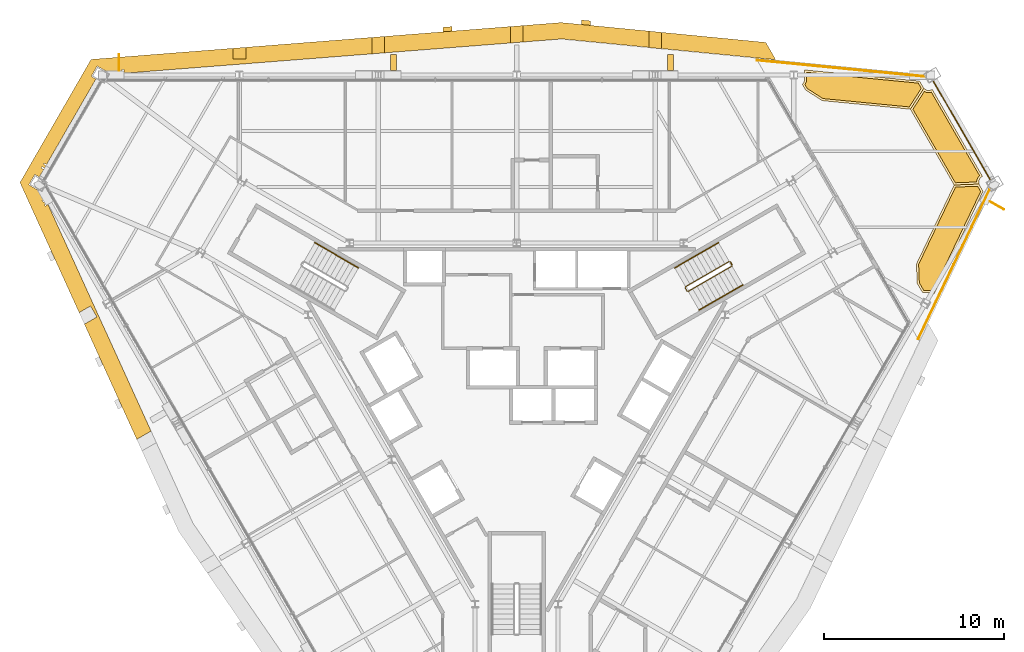
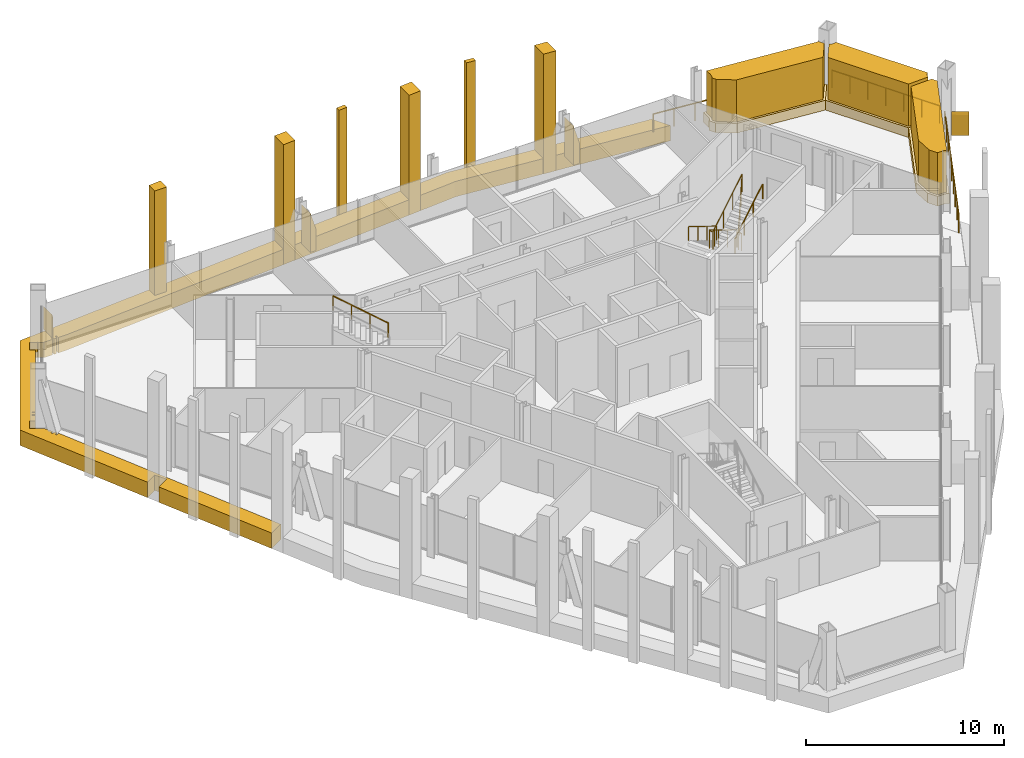
# One storey, part 13 of 13: 20 coverings, 7 railings.
"""IFC4 building model written with IfcOpenShell, lengths in metres."""

from ifc_helpers import new_model, si_unit, direction, frame, origin, origin_2d, place, context, subcontext, project, spatial, polyline, circle, outline, extrude, material, layer, layer_set, type_object, element, save


model = new_model("IFC4")

# Units and contexts
model_context = context("Model", 3, precision=1e-05, world=origin(), true_north=direction((0.0, 1.0)))
body_context = subcontext(model_context, "Body", "Model", "MODEL_VIEW")
ifc_project = project(units=[si_unit("LENGTHUNIT", "METRE"), si_unit("AREAUNIT", "SQUARE_METRE"), si_unit("VOLUMEUNIT", "CUBIC_METRE"), si_unit("PLANEANGLEUNIT", "RADIAN"), si_unit("MASSUNIT", "GRAM", prefix="KILO")], contexts=[model_context])

# Site, building, storey
site_placement = place(None, origin())
site = spatial("IfcSite", under=ifc_project, at=site_placement, CompositionType="ELEMENT")
building_placement = place(site_placement, origin())
building = spatial("IfcBuilding", under=site, at=building_placement, Name="Verrane Prism Tower", CompositionType="ELEMENT")
storey_placement = place(building_placement, frame((0.0, 0.0, 171.0)))
storey = spatial("IfcBuildingStorey", under=building, at=storey_placement, Name="L42", CompositionType="ELEMENT", Elevation=171.0)

# Railings
ifc_material_1 = material(Name="Stainless steel and laminated glass", Category="steel")
railing_type_1 = type_object("IfcRailingType", Name="Garden guard 1100", PredefinedType="GUARDRAIL", material=ifc_material_1)
railing_1_placement = place(storey_placement, frame((22.26123046875, 2.67236328125, 0.0)))
element("IfcRailing", 1, at=railing_1_placement, inside=storey, type_object=railing_type_1, Name="Garden guard L42 1", PredefinedType="GUARDRAIL", context=body_context, shape_type="SweptSolid", body=[
    extrude(circle(Radius=0.02392578125, at=origin_2d()), frame((0.0, 0.0, 1.076171875), z_axis=(0.430780316102, 0.902456824041, 0.0), x_axis=(-0.902456824041, 0.430780316102, 0.0)), (0.0, 0.0, 1.0), 9.175537109375),
    extrude(circle(Radius=0.02099609375, at=origin_2d()), origin(), (0.0, 0.0, 1.0), 1.052001953125),
    extrude(circle(Radius=0.02099609375, at=origin_2d()), frame((0.494140625, 1.03515625, 0.0)), (0.0, 0.0, 1.0), 1.052001953125),
    extrude(circle(Radius=0.02099609375, at=origin_2d()), frame((0.98828125, 2.070068359375, 0.0)), (0.0, 0.0, 1.0), 1.052001953125),
    extrude(circle(Radius=0.02099609375, at=origin_2d()), frame((1.482177734375, 3.105224609375, 0.0)), (0.0, 0.0, 1.0), 1.052001953125),
    extrude(circle(Radius=0.02099609375, at=origin_2d()), frame((1.976318359375, 4.14013671875, 0.0)), (0.0, 0.0, 1.0), 1.052001953125),
    extrude(circle(Radius=0.02099609375, at=origin_2d()), frame((2.470458984375, 5.17529296875, 0.0)), (0.0, 0.0, 1.0), 1.052001953125),
    extrude(circle(Radius=0.02099609375, at=origin_2d()), frame((2.96435546875, 6.21044921875, 0.0)), (0.0, 0.0, 1.0), 1.052001953125),
    extrude(circle(Radius=0.02099609375, at=origin_2d()), frame((3.45849609375, 7.245361328125, 0.0)), (0.0, 0.0, 1.0), 1.052001953125),
    extrude(circle(Radius=0.02099609375, at=origin_2d()), frame((3.95263671875, 8.280517578125, 0.0)), (0.0, 0.0, 1.0), 1.052001953125),
])
railing_2_placement = place(storey_placement, frame((26.246826171875, 11.529052734375, 0.0)))
element("IfcRailing", 2, at=railing_2_placement, inside=storey, type_object=railing_type_1, Name="Garden guard L42 2", PredefinedType="GUARDRAIL", context=body_context, shape_type="SweptSolid", body=[
    extrude(circle(Radius=0.02392578125, at=origin_2d()), frame((0.0, 0.0, 1.076171875), z_axis=(-0.499993007185, 0.86602944105, 0.0), x_axis=(-0.86602944105, -0.499993007185, 0.0)), (0.0, 0.0, 1.0), 6.27490234375),
    extrude(circle(Radius=0.02099609375, at=origin_2d()), origin(), (0.0, 0.0, 1.0), 1.052001953125),
    extrude(circle(Radius=0.02099609375, at=origin_2d()), frame((-0.52294921875, 0.90576171875, 0.0)), (0.0, 0.0, 1.0), 1.052001953125),
    extrude(circle(Radius=0.02099609375, at=origin_2d()), frame((-1.0458984375, 1.8115234375, 0.0)), (0.0, 0.0, 1.0), 1.052001953125),
    extrude(circle(Radius=0.02099609375, at=origin_2d()), frame((-1.56884765625, 2.71728515625, 0.0)), (0.0, 0.0, 1.0), 1.052001953125),
    extrude(circle(Radius=0.02099609375, at=origin_2d()), frame((-2.091552734375, 3.622802734375, 0.0)), (0.0, 0.0, 1.0), 1.052001953125),
    extrude(circle(Radius=0.02099609375, at=origin_2d()), frame((-2.614501953125, 4.528564453125, 0.0)), (0.0, 0.0, 1.0), 1.052001953125),
    extrude(circle(Radius=0.02099609375, at=origin_2d()), frame((-3.137451171875, 5.434326171875, 0.0)), (0.0, 0.0, 1.0), 1.052001953125),
])
railing_3_placement = place(storey_placement, frame((22.597900390625, 17.233154296875, 0.0)))
element("IfcRailing", 3, at=railing_3_placement, inside=storey, type_object=railing_type_1, Name="Garden guard L42 3", PredefinedType="GUARDRAIL", context=body_context, shape_type="SweptSolid", body=[
    extrude(circle(Radius=0.02392578125, at=origin_2d()), frame((0.0, 0.0, 1.076171875), z_axis=(-0.995316281325, 0.096672126955, 0.0), x_axis=(-0.096672126955, -0.995316281325, 0.0)), (0.0, 0.0, 1.0), 9.306396484375),
    extrude(circle(Radius=0.02099609375, at=origin_2d()), origin(), (0.0, 0.0, 1.0), 1.052001953125),
    extrude(circle(Radius=0.02099609375, at=origin_2d()), frame((-1.15771484375, 0.112548828125, 0.0)), (0.0, 0.0, 1.0), 1.052001953125),
    extrude(circle(Radius=0.02099609375, at=origin_2d()), frame((-2.315673828125, 0.224853515625, 0.0)), (0.0, 0.0, 1.0), 1.052001953125),
    extrude(circle(Radius=0.02099609375, at=origin_2d()), frame((-3.4736328125, 0.33740234375, 0.0)), (0.0, 0.0, 1.0), 1.052001953125),
    extrude(circle(Radius=0.02099609375, at=origin_2d()), frame((-4.63134765625, 0.44970703125, 0.0)), (0.0, 0.0, 1.0), 1.052001953125),
    extrude(circle(Radius=0.02099609375, at=origin_2d()), frame((-5.7890625, 0.562255859375, 0.0)), (0.0, 0.0, 1.0), 1.052001953125),
    extrude(circle(Radius=0.02099609375, at=origin_2d()), frame((-6.947021484375, 0.6748046875, 0.0)), (0.0, 0.0, 1.0), 1.052001953125),
    extrude(circle(Radius=0.02099609375, at=origin_2d()), frame((-8.10498046875, 0.787109375, 0.0)), (0.0, 0.0, 1.0), 1.052001953125),
    extrude(circle(Radius=0.02099609375, at=origin_2d()), frame((-9.2626953125, 0.899658203125, 0.0)), (0.0, 0.0, 1.0), 1.052001953125),
])

# Coverings
ifc_material_2 = material(Name="Planting medium in stone kerb", Category="masonry")
covering_type_1 = type_object("IfcCoveringType", Name="Planter bed 600", PredefinedType="USERDEFINED", material=ifc_material_2)
covering_1_placement = place(storey_placement, origin())
element("IfcCovering", 4, at=covering_1_placement, inside=storey, type_object=covering_type_1, Name="Planter bed L42 1", ObjectType="PLANTER", PredefinedType="USERDEFINED", context=body_context, shape_type="SweptSolid", body=[
    extrude(outline(polyline([(25.861083984375, 10.864013671875), (25.66943359375, 11.19580078125), (25.65380859375, 11.226318359375), (25.64111328125, 11.25830078125), (25.6376953125, 11.270751953125), (24.25634765625, 11.216552734375), (22.166015625, 6.837158203125), (22.2080078125, 5.7646484375), (22.506591796875, 5.247314453125), (22.90576171875, 5.247314453125), (22.93994140625, 5.24560546875), (22.97412109375, 5.240478515625), (22.97412109375, 5.240478515625), (22.98193359375, 5.2392578125), (23.015380859375, 5.23095703125), (23.047607421875, 5.21923828125), (23.07861328125, 5.20458984375), (23.108154296875, 5.18701171875), (23.1357421875, 5.16650390625), (23.139892578125, 5.162841796875), (25.861083984375, 10.864013671875)])), origin(), (0.0, 0.0, 1.0), 0.60009765625),
])
covering_2_placement = place(storey_placement, origin())
element("IfcCovering", 5, at=covering_2_placement, inside=storey, type_object=covering_type_1, Name="Planter bed L42 2", ObjectType="PLANTER", PredefinedType="USERDEFINED", context=body_context, shape_type="SweptSolid", body=[
    extrude(outline(polyline([(22.65771484375, 16.511962890625), (22.62939453125, 16.531494140625), (22.603515625, 16.5537109375), (22.57958984375, 16.578369140625), (22.577880859375, 16.580322265625), (21.830322265625, 15.4189453125), (24.25634765625, 11.216552734375), (25.6376953125, 11.270751953125), (25.6318359375, 11.291259765625), (25.62548828125, 11.3251953125), (25.622802734375, 11.359375), (25.623291015625, 11.393798828125), (25.627197265625, 11.427734375), (25.634521484375, 11.46142578125), (25.64501953125, 11.494140625), (25.65869140625, 11.525634765625), (25.67529296875, 11.5556640625), (25.69482421875, 11.583984375), (25.71728515625, 11.610107421875), (25.74169921875, 11.6337890625), (25.768798828125, 11.6552734375), (25.797607421875, 11.673828125), (25.829345703125, 11.692138671875), (23.0419921875, 16.520263671875), (23.017578125, 16.506103515625), (22.987060546875, 16.490478515625), (22.955078125, 16.477783203125), (22.922119140625, 16.468505859375), (22.88818359375, 16.462158203125), (22.85400390625, 16.45947265625), (22.819580078125, 16.4599609375), (22.78564453125, 16.4638671875), (22.751953125, 16.47119140625), (22.71923828125, 16.481689453125), (22.687744140625, 16.495361328125), (22.65771484375, 16.511962890625)])), origin(), (0.0, 0.0, 1.0), 0.60009765625),
])
covering_3_placement = place(storey_placement, origin())
element("IfcCovering", 6, at=covering_3_placement, inside=storey, type_object=covering_type_1, Name="Planter bed L42 3", ObjectType="PLANTER", PredefinedType="USERDEFINED", context=body_context, shape_type="SweptSolid", body=[
    extrude(outline(polyline([(22.577880859375, 16.580322265625), (22.55810546875, 16.605224609375), (22.53955078125, 16.63427734375), (22.341796875, 16.976806640625), (15.95703125, 17.596923828125), (15.95849609375, 17.564697265625), (15.95849609375, 17.0703125), (15.956787109375, 17.0361328125), (15.951904296875, 17.002197265625), (15.943603515625, 16.96875), (15.931884765625, 16.9365234375), (15.931640625, 16.935791015625), (15.92919921875, 16.928955078125), (15.914306640625, 16.897705078125), (15.896728515625, 16.868408203125), (15.876220703125, 16.8408203125), (15.853271484375, 16.815185546875), (15.836669921875, 16.80029296875), (16.01806640625, 16.48583984375), (16.93701171875, 15.894287109375), (21.830322265625, 15.4189453125), (22.577880859375, 16.580322265625)])), origin(), (0.0, 0.0, 1.0), 0.60009765625),
])
ifc_material_3 = material(Name="Planted shrubs and grasses", Category="other")
covering_type_2 = type_object("IfcCoveringType", Name="Planting mass 1000", PredefinedType="USERDEFINED", material=ifc_material_3)
covering_4_placement = place(storey_placement, frame((0.0, 0.0, 0.60009765625)))
element("IfcCovering", 7, at=covering_4_placement, inside=storey, type_object=covering_type_2, Name="Planting L42 1", ObjectType="PLANTING", PredefinedType="USERDEFINED", context=body_context, shape_type="SweptSolid", body=[
    extrude(outline(polyline([(23.005615234375, 5.357177734375), (23.05029296875, 5.345947265625), (23.087646484375, 5.33251953125), (25.7255859375, 10.858642578125), (25.564208984375, 11.13818359375), (25.559326171875, 11.1474609375), (24.33349609375, 11.099609375), (22.287109375, 6.812255859375), (22.326904296875, 5.798828125), (22.575927734375, 5.3671875), (22.90869140625, 5.3671875), (22.951904296875, 5.364990234375), (22.99755859375, 5.3583984375), (22.99755859375, 5.358154296875), (23.005615234375, 5.357177734375)])), origin(), (0.0, 0.0, 1.0), 2.599853515625),
])
covering_5_placement = place(storey_placement, frame((0.0, 0.0, 0.60009765625)))
element("IfcCovering", 8, at=covering_5_placement, inside=storey, type_object=covering_type_2, Name="Planting L42 2", ObjectType="PLANTING", PredefinedType="USERDEFINED", context=body_context, shape_type="SweptSolid", body=[
    extrude(outline(polyline([(21.970703125, 15.41552734375), (24.32421875, 11.33935546875), (25.503173828125, 11.385498046875), (25.50341796875, 11.401611328125), (25.5087890625, 11.447509765625), (25.5185546875, 11.492431640625), (25.53271484375, 11.536376953125), (25.55078125, 11.57861328125), (25.573486328125, 11.619140625), (25.599609375, 11.656982421875), (25.62939453125, 11.692138671875), (25.66259765625, 11.724365234375), (25.669189453125, 11.7294921875), (22.99365234375, 16.364013671875), (22.949462890625, 16.351318359375), (22.904052734375, 16.343017578125), (22.85791015625, 16.33935546875), (22.81201171875, 16.340087890625), (22.76611328125, 16.34521484375), (22.720947265625, 16.35498046875), (22.677001953125, 16.369140625), (22.634765625, 16.3876953125), (22.606689453125, 16.403076171875), (21.970703125, 15.41552734375)])), origin(), (0.0, 0.0, 1.0), 2.599853515625),
])
covering_6_placement = place(storey_placement, frame((0.0, 0.0, 0.60009765625)))
element("IfcCovering", 9, at=covering_6_placement, inside=storey, type_object=covering_type_2, Name="Planting L42 3", ObjectType="PLANTING", PredefinedType="USERDEFINED", context=body_context, shape_type="SweptSolid", body=[
    extrude(outline(polyline([(16.107421875, 16.57080078125), (16.9775390625, 16.0107421875), (21.76904296875, 15.54541015625), (22.43359375, 16.57763671875), (22.268798828125, 16.86328125), (16.07861328125, 17.464599609375), (16.07861328125, 17.0673828125), (16.076416015625, 17.0244140625), (16.069580078125, 16.978759765625), (16.058349609375, 16.93408203125), (16.04296875, 16.890380859375), (16.04248046875, 16.889892578125), (16.0400390625, 16.8828125), (16.0205078125, 16.84130859375), (15.99658203125, 16.801513671875), (15.984130859375, 16.78466796875), (16.107421875, 16.57080078125)])), origin(), (0.0, 0.0, 1.0), 2.599853515625),
])

# Railings
ifc_material_4 = material(Name="Steel A36 rail and posts, no infill", Category="steel")
railing_type_2 = type_object("IfcRailingType", Name="Stair guard 1100 steel rail and posts", PredefinedType="GUARDRAIL", material=ifc_material_4)
railing_4_placement = place(storey_placement, frame((11.78955078125, 6.97998046875, 0.168212890625)))
element("IfcRailing", 10, at=railing_4_placement, inside=storey, type_object=railing_type_2, Name="Stair 1 guard", PredefinedType="GUARDRAIL", context=body_context, shape_type="SweptSolid", body=[
    extrude(circle(Radius=0.02392578125, at=origin_2d()), frame((0.0, 0.0, 1.076171875), z_axis=(-0.742366697286, -0.42866220388, 0.514917859203), x_axis=(0.500049511043, -0.865996816683, 0.0)), (0.0, 0.0, 1.0), 3.266357421875),
    extrude(circle(Radius=0.02392578125, at=origin_2d()), frame((-2.4248046875, -1.400146484375, 2.7578125), z_axis=(-0.259601060869, -0.965715946433, 0.0), x_axis=(0.965715946433, -0.259601060869, 0.0)), (0.0, 0.0, 1.0), 0.070556640625),
    extrude(circle(Radius=0.02392578125, at=origin_2d()), frame((-2.443115234375, -1.46826171875, 2.7578125), z_axis=(0.499158860599, -0.866510491504, 0.0), x_axis=(0.866510491504, 0.499158860599, 0.0)), (0.0, 0.0, 1.0), 0.199951171875),
    extrude(circle(Radius=0.02392578125, at=origin_2d()), frame((-2.34326171875, -1.6416015625, 2.7578125), z_axis=(0.375047803403, -0.100459233054, 0.92154603122), x_axis=(0.258736085224, 0.965948051503, 0.0)), (0.0, 0.0, 1.0), 0.182373046875),
    extrude(circle(Radius=0.02392578125, at=origin_2d()), frame((-2.27490234375, -1.659912109375, 2.92578125), z_axis=(0.742366697286, 0.42866220388, 0.514917859203), x_axis=(-0.500049511043, 0.865996816683, 0.0)), (0.0, 0.0, 1.0), 3.266357421875),
    extrude(circle(Radius=0.02392578125, at=origin_2d()), frame((0.14990234375, -0.259765625, 4.60791015625), z_axis=(-0.021986835041, 0.065104730107, -0.997636182785), x_axis=(-0.947430582667, -0.3199613899, 0.0)), (0.0, 0.0, 1.0), 3.708740234375),
    extrude(circle(Radius=0.02392578125, at=origin_2d()), frame((0.068359375, -0.018310546875, 0.90771484375), z_axis=(0.499158860599, -0.866510491504, 0.0), x_axis=(0.866510491504, 0.499158860599, 0.0)), (0.0, 0.0, 1.0), 0.199951171875),
    extrude(circle(Radius=0.02099609375, at=origin_2d()), origin(), (0.0, 0.0, 1.0), 1.052001953125),
    extrude(circle(Radius=0.02099609375, at=origin_2d()), frame((-0.808349609375, -0.466796875, 0.560546875)), (0.0, 0.0, 1.0), 1.052001953125),
    extrude(circle(Radius=0.02099609375, at=origin_2d()), frame((-1.616455078125, -0.933349609375, 1.121337890625)), (0.0, 0.0, 1.0), 1.052001953125),
    extrude(circle(Radius=0.02099609375, at=origin_2d()), frame((-2.4248046875, -1.400146484375, 1.681884765625)), (0.0, 0.0, 1.0), 1.052001953125),
    extrude(circle(Radius=0.02099609375, at=origin_2d()), frame((-2.443115234375, -1.46826171875, 1.681884765625)), (0.0, 0.0, 1.0), 1.052001953125),
    extrude(circle(Radius=0.02099609375, at=origin_2d()), frame((-2.34326171875, -1.6416015625, 1.681884765625)), (0.0, 0.0, 1.0), 1.052001953125),
    extrude(circle(Radius=0.02099609375, at=origin_2d()), frame((-2.27490234375, -1.659912109375, 1.849853515625)), (0.0, 0.0, 1.0), 1.052001953125),
    extrude(circle(Radius=0.02099609375, at=origin_2d()), frame((-1.466552734375, -1.193115234375, 2.410400390625)), (0.0, 0.0, 1.0), 1.052001953125),
    extrude(circle(Radius=0.02099609375, at=origin_2d()), frame((-0.658447265625, -0.7265625, 2.97119140625)), (0.0, 0.0, 1.0), 1.052001953125),
    extrude(circle(Radius=0.02099609375, at=origin_2d()), frame((0.14990234375, -0.259765625, 3.53173828125)), (0.0, 0.0, 1.0), 1.052001953125),
    extrude(circle(Radius=0.02099609375, at=origin_2d()), frame((0.12939453125, -0.199462890625, 2.606689453125)), (0.0, 0.0, 1.0), 1.052001953125),
    extrude(circle(Radius=0.02099609375, at=origin_2d()), frame((0.109130859375, -0.13916015625, 1.681640625)), (0.0, 0.0, 1.0), 1.052001953125),
    extrude(circle(Radius=0.02099609375, at=origin_2d()), frame((0.0888671875, -0.07861328125, 0.7568359375)), (0.0, 0.0, 1.0), 1.052001953125),
    extrude(circle(Radius=0.02099609375, at=origin_2d()), frame((0.068359375, -0.018310546875, -0.168212890625)), (0.0, 0.0, 1.0), 1.052001953125),
    extrude(circle(Radius=0.02099609375, at=origin_2d()), frame((0.168212890625, -0.191650390625, -0.168212890625)), (0.0, 0.0, 1.0), 1.052001953125),
])
ifc_material_5 = material(Name="Steel A36 tube", Category="steel")
railing_type_3 = type_object("IfcRailingType", Name="Stair handrail 900 steel tube", PredefinedType="HANDRAIL", material=ifc_material_5)
railing_5_placement = place(storey_placement, frame((11.189453125, 8.01904296875, 0.168212890625)))
element("IfcRailing", 11, at=railing_5_placement, inside=storey, type_object=railing_type_3, Name="Stair 1 handrail", PredefinedType="HANDRAIL", context=body_context, shape_type="SweptSolid", body=[
    extrude(circle(Radius=0.02392578125, at=origin_2d()), frame((0.0, 0.0, 0.8759765625), z_axis=(-0.742390482028, -0.42860119049, 0.514934356695), x_axis=(0.49998411664, -0.866034573852, 0.0)), (0.0, 0.0, 1.0), 3.26611328125),
    extrude(circle(Radius=0.02099609375, at=origin_2d()), origin(), (0.0, 0.0, 1.0), 0.851806640625),
    extrude(circle(Radius=0.02099609375, at=origin_2d()), frame((-0.808349609375, -0.466552734375, 0.560546875)), (0.0, 0.0, 1.0), 0.851806640625),
    extrude(circle(Radius=0.02099609375, at=origin_2d()), frame((-1.616455078125, -0.933349609375, 1.121337890625)), (0.0, 0.0, 1.0), 0.851806640625),
    extrude(circle(Radius=0.02099609375, at=origin_2d()), frame((-2.4248046875, -1.39990234375, 1.681884765625)), (0.0, 0.0, 1.0), 0.851806640625),
])
railing_6_placement = place(storey_placement, frame((10.11474609375, 4.28076171875, 2.01806640625)))
element("IfcRailing", 12, at=railing_6_placement, inside=storey, type_object=railing_type_3, Name="Stair 1 handrail", PredefinedType="HANDRAIL", context=body_context, shape_type="SweptSolid", body=[
    extrude(circle(Radius=0.02392578125, at=origin_2d()), frame((0.0, 0.0, 0.8759765625), z_axis=(0.742366697286, 0.42866220388, 0.514917859203), x_axis=(-0.500049511043, 0.865996816683, 0.0)), (0.0, 0.0, 1.0), 3.266357421875),
    extrude(circle(Radius=0.02099609375, at=origin_2d()), origin(), (0.0, 0.0, 1.0), 0.851806640625),
    extrude(circle(Radius=0.02099609375, at=origin_2d()), frame((0.808349609375, 0.466796875, 0.560546875)), (0.0, 0.0, 1.0), 0.851806640625),
    extrude(circle(Radius=0.02099609375, at=origin_2d()), frame((1.616455078125, 0.933349609375, 1.121337890625)), (0.0, 0.0, 1.0), 0.851806640625),
    extrude(circle(Radius=0.02099609375, at=origin_2d()), frame((2.4248046875, 1.400146484375, 1.681884765625)), (0.0, 0.0, 1.0), 0.851806640625),
])
railing_7_placement = place(storey_placement, frame((-8.7646484375, 6.619140625, 2.01806640625)))
element("IfcRailing", 13, at=railing_7_placement, inside=storey, type_object=railing_type_3, Name="Stair 2 handrail", PredefinedType="HANDRAIL", context=body_context, shape_type="SweptSolid", body=[
    extrude(circle(Radius=0.02392578125, at=origin_2d()), frame((0.0, 0.0, 0.8759765625), z_axis=(-0.742390482028, 0.42860119049, 0.514934356695), x_axis=(-0.49998411664, -0.866034573852, 0.0)), (0.0, 0.0, 1.0), 3.26611328125),
    extrude(circle(Radius=0.02099609375, at=origin_2d()), origin(), (0.0, 0.0, 1.0), 0.851806640625),
    extrude(circle(Radius=0.02099609375, at=origin_2d()), frame((-0.808349609375, 0.466552734375, 0.560546875)), (0.0, 0.0, 1.0), 0.851806640625),
    extrude(circle(Radius=0.02099609375, at=origin_2d()), frame((-1.616455078125, 0.933349609375, 1.121337890625)), (0.0, 0.0, 1.0), 0.851806640625),
    extrude(circle(Radius=0.02099609375, at=origin_2d()), frame((-2.4248046875, 1.39990234375, 1.681884765625)), (0.0, 0.0, 1.0), 0.851806640625),
])

# Coverings
ifc_material_6 = material(Name="Warm limestone cladding", Category="masonry")
ifc_layer_1 = layer(ifc_material_6, 0.89990234375)
ifc_layer_set_1 = layer_set([ifc_layer_1], Name="Stone brace fin 900")
covering_type_3 = type_object("IfcCoveringType", Name="Stone brace fin 900", PredefinedType="CLADDING", material=ifc_layer_set_1)
covering_7_placement = place(storey_placement, frame((8.703857421875, 18.013916015625, 0.0), z_axis=(0.0, 0.0, 1.0), x_axis=(-1.0, 0.0, 0.0)))
element("IfcCovering", 14, at=covering_7_placement, inside=storey, type_object=covering_type_3, Name="Stone brace fin N2 L42", PredefinedType="CLADDING", context=body_context, shape_type="SweptSolid", body=[
    extrude(outline(polyline([(0.0, 0.0), (0.343017578125, 0.0), (0.343017578125, 2.438720703125), (0.0, 1.283203125), (0.0, 0.0)])), frame((0.0, 0.449951171875, 0.0), z_axis=(0.0, -1.0, 0.0), x_axis=(1.0, 0.0, 0.0)), (0.0, 0.0, 1.0), 0.89990234375),
])
covering_8_placement = place(storey_placement, frame((-6.65771484375, 18.013916015625, 0.0), z_axis=(0.0, 0.0, 1.0), x_axis=(-1.0, 0.0, 0.0)))
element("IfcCovering", 15, at=covering_8_placement, inside=storey, type_object=covering_type_3, Name="Stone brace fin N4 L42", PredefinedType="CLADDING", context=body_context, shape_type="SweptSolid", body=[
    extrude(outline(polyline([(0.0, 0.0), (0.342529296875, 0.0), (0.342529296875, 2.438720703125), (0.0, 1.283203125), (0.0, 0.0)])), frame((0.0, 0.449951171875, 0.0), z_axis=(0.0, -1.0, 0.0), x_axis=(1.0, 0.0, 0.0)), (0.0, 0.0, 1.0), 0.89990234375),
])
for number, where, z_axis, x_axis, name in (
    (16, (-22.027587890625, 18.013916015625, 0.0), (0.0, 0.0, 1.0), (-1.0, 0.0, 0.0), "Stone brace fin N6 L42"),
    (17, (26.6083984375, 10.062744140625, 0.0), (0.0, 0.0, 1.0), (0.502893578304, 0.864348337709, 0.0), "Stone brace fin SE6 L42"),
):
    element("IfcCovering", number, at=place(storey_placement, frame(where, z_axis=z_axis, x_axis=x_axis)), inside=storey, type_object=covering_type_3, Name=name, PredefinedType="CLADDING", context=body_context, shape_type="SweptSolid", body=[
        extrude(outline(polyline([(0.0, 0.0), (0.046630859375, 0.0), (0.046630859375, 1.44091796875), (0.0, 1.283203125), (0.0, 0.0)])), frame((0.0, 0.449951171875, 0.0), z_axis=(0.0, -1.0, 0.0), x_axis=(1.0, 0.0, 0.0)), (0.0, 0.0, 1.0), 0.89990234375),
    ])
ifc_material_7 = material(Name="Warm limestone cladding", Category="masonry")
covering_type_4 = type_object("IfcCoveringType", Name="Stone mullion pier 500", PredefinedType="CLADDING", material=ifc_material_7)
covering_9_placement = place(storey_placement, frame((0.0, 0.0, -0.949951171875)))
element("IfcCovering", 18, at=covering_9_placement, inside=storey, type_object=covering_type_4, Name="Stone pier SM-N2.1 L42-L43", PredefinedType="CLADDING", context=body_context, shape_type="SweptSolid", body=[
    extrude(outline(polyline([(3.59130859375, 20.114013671875), (4.09130859375, 20.0654296875), (4.09130859375, 20.316650390625), (3.59130859375, 20.365234375), (3.59130859375, 20.114013671875)])), origin(), (0.0, 0.0, 1.0), 7.39990234375),
])
covering_10_placement = place(storey_placement, frame((0.0, 0.0, -0.949951171875)))
element("IfcCovering", 19, at=covering_10_placement, inside=storey, type_object=covering_type_4, Name="Stone pier SM-N3.1 L42-L43", PredefinedType="CLADDING", context=body_context, shape_type="SweptSolid", body=[
    extrude(outline(polyline([(-4.09130859375, 19.708984375), (-3.59130859375, 19.748291015625), (-3.59130859375, 19.9990234375), (-4.09130859375, 19.959716796875), (-4.09130859375, 19.708984375)])), origin(), (0.0, 0.0, 1.0), 7.39990234375),
])
ifc_material_8 = material(Name="Warm limestone cladding", Category="masonry")
covering_type_5 = type_object("IfcCoveringType", Name="Stone pier 700", PredefinedType="CLADDING", material=ifc_material_8)
covering_11_placement = place(storey_placement, frame((0.0, 0.0, -0.949951171875)))
element("IfcCovering", 20, at=covering_11_placement, inside=storey, type_object=covering_type_5, Name="Stone pier PC-N2 L42-L43", PredefinedType="CLADDING", context=body_context, shape_type="SweptSolid", body=[
    extrude(outline(polyline([(7.33251953125, 19.75048828125), (7.33251953125, 18.83642578125), (8.03271484375, 18.7685546875), (8.03271484375, 19.6826171875), (7.33251953125, 19.75048828125)])), origin(), (0.0, 0.0, 1.0), 7.39990234375),
])
covering_12_placement = place(storey_placement, frame((0.0, 0.0, -0.949951171875)))
element("IfcCovering", 21, at=covering_12_placement, inside=storey, type_object=covering_type_5, Name="Stone pier PC-N3 L42-L43", PredefinedType="CLADDING", context=body_context, shape_type="SweptSolid", body=[
    extrude(outline(polyline([(-0.35009765625, 20.00244140625), (-0.35009765625, 19.08984375), (0.35009765625, 19.144775390625), (0.35009765625, 20.057373046875), (-0.35009765625, 20.00244140625)])), origin(), (0.0, 0.0, 1.0), 7.39990234375),
])
covering_13_placement = place(storey_placement, frame((0.0, 0.0, -0.949951171875)))
element("IfcCovering", 22, at=covering_13_placement, inside=storey, type_object=covering_type_5, Name="Stone pier PC-N4 L42-L43", PredefinedType="CLADDING", context=body_context, shape_type="SweptSolid", body=[
    extrude(outline(polyline([(-8.03271484375, 19.39990234375), (-8.03271484375, 18.4873046875), (-7.33251953125, 18.542236328125), (-7.33251953125, 19.454833984375), (-8.03271484375, 19.39990234375)])), origin(), (0.0, 0.0, 1.0), 7.39990234375),
])
covering_14_placement = place(storey_placement, frame((0.0, 0.0, -0.949951171875)))
element("IfcCovering", 23, at=covering_14_placement, inside=storey, type_object=covering_type_5, Name="Stone pier PC-N5 L42-L43", PredefinedType="CLADDING", context=body_context, shape_type="SweptSolid", body=[
    extrude(outline(polyline([(-15.715087890625, 18.2119140625), (-15.01513671875, 18.2119140625), (-15.01513671875, 18.852294921875), (-15.715087890625, 18.797607421875), (-15.715087890625, 18.2119140625)])), origin(), (0.0, 0.0, 1.0), 7.39990234375),
])
ifc_material_9 = material(Name="Warm limestone cladding", Category="masonry")
ifc_layer_2 = layer(ifc_material_9, 0.449951171875)
ifc_layer_set_2 = layer_set([ifc_layer_2], Name="Stone spandrel band 450")
covering_type_6 = type_object("IfcCoveringType", Name="Stone spandrel band 450", PredefinedType="CLADDING", material=ifc_layer_set_2)
covering_15_placement = place(storey_placement, frame((0.0, 0.0, -0.949951171875)))
element("IfcCovering", 24, at=covering_15_placement, inside=storey, type_object=covering_type_6, Name="Stone spandrel band L42 part 2", PredefinedType="CLADDING", context=body_context, shape_type="SweptSolid", body=[
    extrude(outline(polyline([(-20.270263671875, -2.427978515625), (-25.94384765625, 10.049560546875), (-25.9921875, 10.13330078125), (-26.135009765625, 10.05078125), (-26.183837890625, 10.13525390625), (-26.041015625, 10.2177734375), (-26.11572265625, 10.34716796875), (-26.258544921875, 10.2646484375), (-26.3056640625, 10.345947265625), (-26.16259765625, 10.428466796875), (-26.413818359375, 10.86328125), (-26.66748046875, 11.010009765625), (-26.68359375, 11.000732421875), (-26.69970703125, 11.0283203125), (-27.04736328125, 11.229248046875), (-26.71728515625, 11.80078125), (-26.46630859375, 11.65576171875), (-26.221435546875, 12.079833984375), (-26.361083984375, 12.16015625), (-26.315185546875, 12.239501953125), (-26.175537109375, 12.1591796875), (-26.096435546875, 12.29638671875), (-26.236083984375, 12.376953125), (-26.20751953125, 12.427001953125), (-26.0673828125, 12.346435546875), (-23.328857421875, 17.08984375), (-23.58740234375, 17.2392578125), (-23.25732421875, 17.810791015625), (-22.90966796875, 17.610107421875), (-22.877685546875, 17.610107421875), (-22.877685546875, 17.591552734375), (-22.62109375, 17.443359375), (-22.12158203125, 17.443359375), (-22.12158203125, 17.610107421875), (-22.027587890625, 17.610107421875), (-22.027587890625, 17.443359375), (-21.878173828125, 17.443359375), (-21.878173828125, 17.610107421875), (-21.780517578125, 17.610107421875), (-21.780517578125, 17.443359375), (-21.34716796875, 17.443359375), (-8.03271484375, 18.4873046875), (-8.03271484375, 19.39990234375), (-15.01513671875, 18.852294921875), (-15.01513671875, 18.2119140625), (-15.715087890625, 18.2119140625), (-15.715087890625, 18.797607421875), (-23.59619140625, 18.1796875), (-27.536865234375, 11.3544921875), (-24.257080078125, 4.1416015625), (-23.626220703125, 4.505859375), (-23.276123046875, 3.899658203125), (-23.9658203125, 3.50146484375), (-21.06201171875, -2.885009765625), (-20.270263671875, -2.427978515625)])), origin(), (0.0, 0.0, 1.0), 0.949951171875),
])
covering_16_placement = place(storey_placement, frame((0.0, 0.0, -0.949951171875)))
element("IfcCovering", 25, at=covering_16_placement, inside=storey, type_object=covering_type_6, Name="Stone spandrel band L42 part 6", PredefinedType="CLADDING", context=body_context, shape_type="SweptSolid", body=[
    extrude(outline(polyline([(-7.33251953125, 18.542236328125), (-0.35009765625, 19.08984375), (-0.35009765625, 20.00244140625), (-7.33251953125, 19.454833984375), (-7.33251953125, 18.542236328125)])), origin(), (0.0, 0.0, 1.0), 0.949951171875),
])
covering_17_placement = place(storey_placement, frame((0.0, 0.0, -0.949951171875)))
element("IfcCovering", 26, at=covering_17_placement, inside=storey, type_object=covering_type_6, Name="Stone spandrel band L42 part 8", PredefinedType="CLADDING", context=body_context, shape_type="SweptSolid", body=[
    extrude(outline(polyline([(0.35009765625, 20.057373046875), (0.35009765625, 19.144775390625), (2.40771484375, 19.305908203125), (2.40966796875, 19.32470703125), (7.33251953125, 18.8466796875), (7.33251953125, 19.75048828125), (2.466796875, 20.223388671875), (0.35009765625, 20.057373046875)])), origin(), (0.0, 0.0, 1.0), 0.949951171875),
])
covering_18_placement = place(storey_placement, frame((0.0, 0.0, -0.949951171875)))
element("IfcCovering", 27, at=covering_18_placement, inside=storey, type_object=covering_type_6, Name="Stone spandrel band L42 part 10", PredefinedType="CLADDING", context=body_context, shape_type="SweptSolid", body=[
    extrude(outline(polyline([(8.03271484375, 19.6826171875), (8.03271484375, 18.778564453125), (14.3681640625, 18.1630859375), (13.815185546875, 19.120849609375), (8.03271484375, 19.6826171875)])), origin(), (0.0, 0.0, 1.0), 0.949951171875),
])

save(model, "model.ifc")
